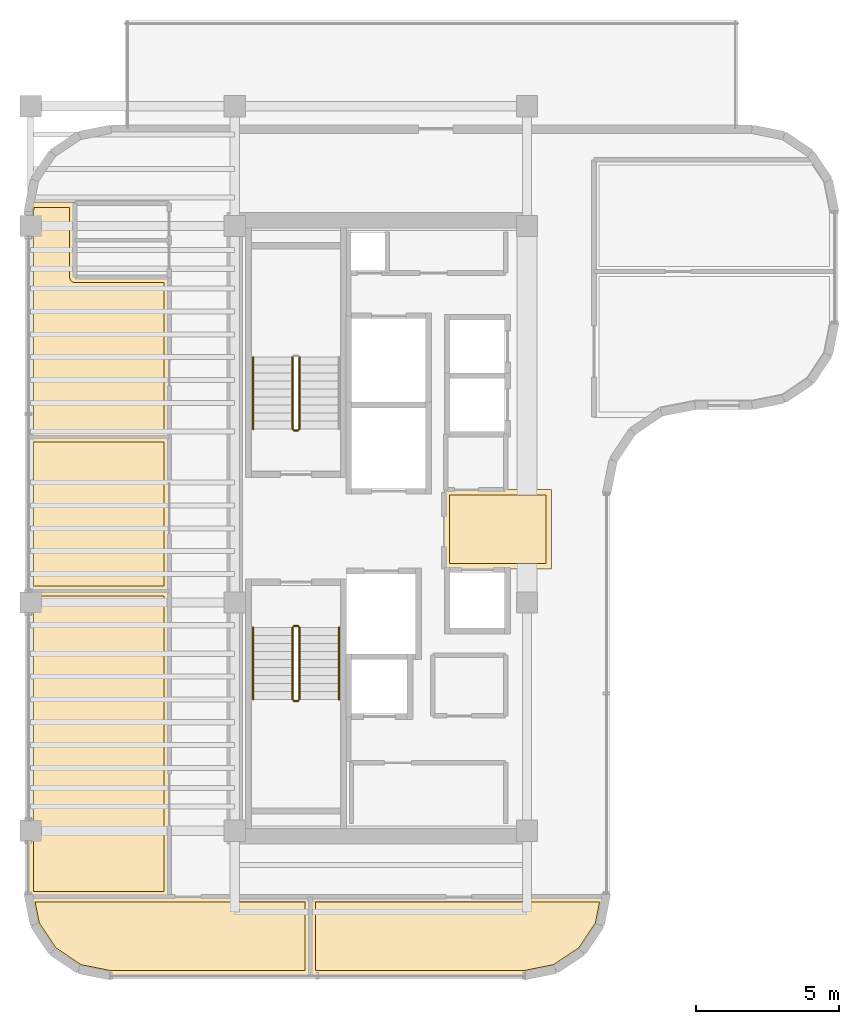
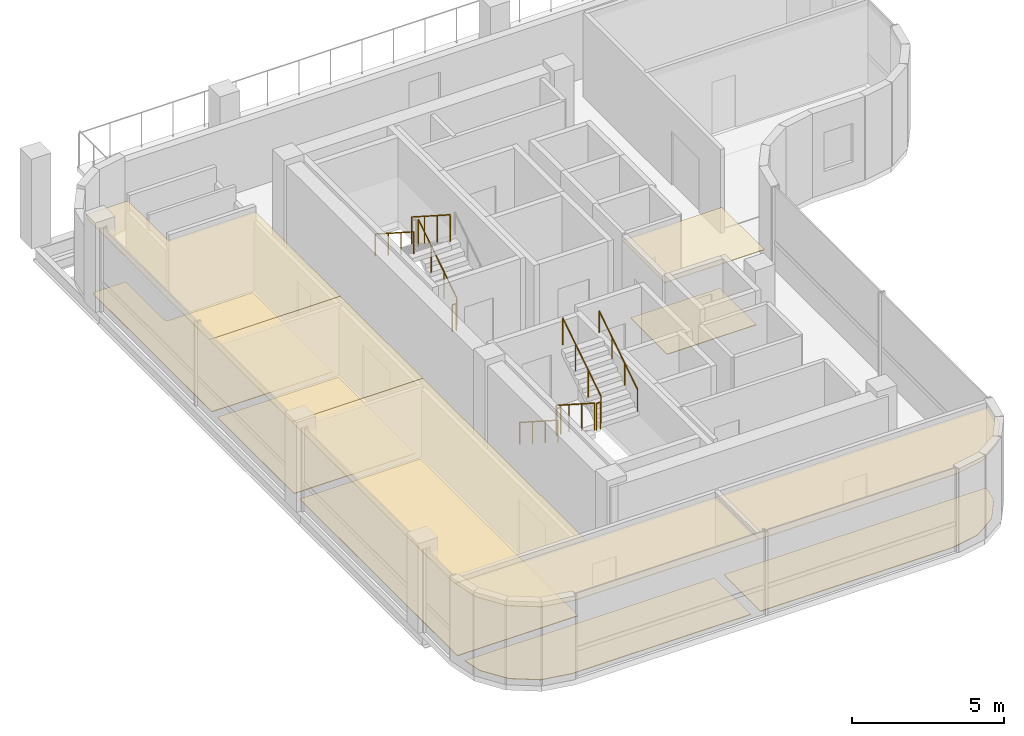
# One storey, part 12 of 13: 12 coverings, 10 railings.
"""IFC4 building model written with IfcOpenShell, lengths in metres."""

from ifc_helpers import new_model, si_unit, direction, frame, origin, origin_2d, place, context, subcontext, project, spatial, polyline, circle, outline, extrude, material, layer, layer_set, type_object, element, save


model = new_model("IFC4")

# Units and contexts
model_context = context("Model", 3, precision=1e-05, world=origin(), true_north=direction((0.0, 1.0)))
body_context = subcontext(model_context, "Body", "Model", "MODEL_VIEW")
ifc_project = project(units=[si_unit("LENGTHUNIT", "METRE"), si_unit("AREAUNIT", "SQUARE_METRE"), si_unit("VOLUMEUNIT", "CUBIC_METRE"), si_unit("PLANEANGLEUNIT", "RADIAN"), si_unit("MASSUNIT", "GRAM", prefix="KILO")], contexts=[model_context])

# Site, building, storey
site_placement = place(None, origin())
site = spatial("IfcSite", under=ifc_project, at=site_placement, CompositionType="ELEMENT")
building_placement = place(site_placement, origin())
building = spatial("IfcBuilding", under=site, at=building_placement, Name="Valdorenza Pilgrim Sanctuary Tower", CompositionType="ELEMENT")
storey_placement = place(building_placement, frame((0.0, 0.0, 290.60009765625)))
storey = spatial("IfcBuildingStorey", under=building, at=storey_placement, Name="L76", CompositionType="ELEMENT", Elevation=290.60009765625)

# Coverings
ifc_material_1 = material(Name="Micro-perforated acoustic mineral ceiling tile", Category="gypsum")
ifc_layer_1 = layer(ifc_material_1, 0.02490234375, Name="Micro-perforated acoustic mineral ceiling tile")
ifc_layer_set_1 = layer_set([ifc_layer_1], Name="Micro-perforated acoustic mineral ceiling tile")
covering_type_1 = type_object("IfcCoveringType", Name="COV-CLG-ACU", PredefinedType="CEILING", material=ifc_layer_set_1)
covering_1_placement = place(storey_placement, frame((0.0, 0.0, 3.059814453125)))
element("IfcCovering", 1, at=covering_1_placement, inside=storey, type_object=covering_type_1, Name="L76 Core A Passenger Lift Lobby Acoustic Ceiling", PredefinedType="CEILING", context=body_context, shape_type="SweptSolid", body=[
    extrude(outline(polyline([(-15.31494140625, 1.35009765625), (-15.31494140625, 1.3515625), (-15.314697265625, 1.352783203125), (-15.314453125, 1.3544921875), (-15.31396484375, 1.355712890625), (-15.313232421875, 1.357177734375), (-15.3125, 1.3583984375), (-15.3115234375, 1.359619140625), (-15.310546875, 1.360595703125), (-15.3095703125, 1.361572265625), (-15.308349609375, 1.362548828125), (-15.30712890625, 1.36328125), (-15.3056640625, 1.364013671875), (-15.304443359375, 1.364501953125), (-15.302978515625, 1.36474609375), (-15.301513671875, 1.364990234375), (-15.300048828125, 1.364990234375), (-11.550048828125, 1.364990234375), (-11.548583984375, 1.364990234375), (-11.547119140625, 1.36474609375), (-11.545654296875, 1.364501953125), (-11.544189453125, 1.364013671875), (-11.54296875, 1.36328125), (-11.541748046875, 1.362548828125), (-11.54052734375, 1.361572265625), (-11.539306640625, 1.360595703125), (-11.538330078125, 1.359619140625), (-11.53759765625, 1.3583984375), (-11.536865234375, 1.357177734375), (-11.5361328125, 1.355712890625), (-11.53564453125, 1.3544921875), (-11.535400390625, 1.352783203125), (-11.53515625, 1.3515625), (-11.534912109375, 1.35009765625), (-11.534912109375, -1.419921875), (-11.53515625, -1.42138671875), (-11.535400390625, -1.4228515625), (-11.53564453125, -1.42431640625), (-11.5361328125, -1.42578125), (-11.536865234375, -1.427001953125), (-11.53759765625, -1.42822265625), (-11.538330078125, -1.429443359375), (-11.539306640625, -1.4306640625), (-11.54052734375, -1.431640625), (-11.541748046875, -1.4326171875), (-11.54296875, -1.43310546875), (-11.544189453125, -1.433837890625), (-11.545654296875, -1.434326171875), (-11.547119140625, -1.434814453125), (-11.548583984375, -1.434814453125), (-11.550048828125, -1.43505859375), (-15.298095703125, -1.43505859375), (-15.299560546875, -1.434814453125), (-15.30078125, -1.434814453125), (-15.302490234375, -1.434326171875), (-15.3037109375, -1.433837890625), (-15.30517578125, -1.43310546875), (-15.306396484375, -1.4326171875), (-15.3076171875, -1.431640625), (-15.30859375, -1.4306640625), (-15.3095703125, -1.429443359375), (-15.310546875, -1.42822265625), (-15.311279296875, -1.427001953125), (-15.31201171875, -1.42578125), (-15.3125, -1.42431640625), (-15.312744140625, -1.4228515625), (-15.31298828125, -1.42138671875), (-15.31298828125, -1.419921875), (-15.31298828125, 1.244384765625), (-15.31298828125, 1.24462890625), (-15.313720703125, 1.24609375), (-15.314208984375, 1.24755859375), (-15.314697265625, 1.2490234375), (-15.31494140625, 1.25048828125), (-15.31494140625, 1.251953125), (-15.31494140625, 1.35009765625)])), origin(), (0.0, 0.0, 1.0), 0.025146484375),
])
covering_2_placement = place(storey_placement, frame((0.0, 0.0, 3.059814453125)))
element("IfcCovering", 2, at=covering_2_placement, inside=storey, type_object=covering_type_1, Name="L76 Summit Observation Cafe Acoustic Ceiling", PredefinedType="CEILING", context=body_context, shape_type="SweptSolid", body=[
    extrude(outline(polyline([(-24.93505859375, -12.919921875), (-24.93505859375, -12.92138671875), (-24.935302734375, -12.9228515625), (-24.935546875, -12.92431640625), (-24.93603515625, -12.92578125), (-24.936767578125, -12.927001953125), (-24.9375, -12.92822265625), (-24.9384765625, -12.929443359375), (-24.939453125, -12.9306640625), (-24.9404296875, -12.931640625), (-24.941650390625, -12.9326171875), (-24.94287109375, -12.93310546875), (-24.9443359375, -12.933837890625), (-24.945556640625, -12.934326171875), (-24.947021484375, -12.934814453125), (-24.948486328125, -12.934814453125), (-24.949951171875, -12.93505859375), (-29.864013671875, -12.93505859375), (-29.865478515625, -12.934814453125), (-29.866943359375, -12.934814453125), (-29.868408203125, -12.934326171875), (-29.86962890625, -12.933837890625), (-29.87109375, -12.93310546875), (-29.872314453125, -12.9326171875), (-29.87353515625, -12.931640625), (-29.87451171875, -12.9306640625), (-29.87548828125, -12.929443359375), (-29.87646484375, -12.92822265625), (-29.877197265625, -12.927001953125), (-29.877685546875, -12.92578125), (-29.87841796875, -12.92431640625), (-29.878662109375, -12.9228515625), (-29.90478515625, -12.7919921875), (-29.90478515625, -12.79052734375), (-29.905029296875, -12.789306640625), (-29.905029296875, -2.199951171875), (-29.90478515625, -2.198486328125), (-29.90478515625, -2.197021484375), (-29.904296875, -2.195556640625), (-29.90380859375, -2.1943359375), (-29.9033203125, -2.19287109375), (-29.902587890625, -2.191650390625), (-29.901611328125, -2.1904296875), (-29.900634765625, -2.189453125), (-29.8994140625, -2.1884765625), (-29.898193359375, -2.1875), (-29.897216796875, -2.186767578125), (-29.895751953125, -2.18603515625), (-29.894287109375, -2.185546875), (-29.892822265625, -2.185302734375), (-29.8916015625, -2.18505859375), (-29.889892578125, -2.18505859375), (-24.949951171875, -2.18505859375), (-24.948486328125, -2.18505859375), (-24.947021484375, -2.185302734375), (-24.945556640625, -2.185546875), (-24.9443359375, -2.18603515625), (-24.94287109375, -2.186767578125), (-24.941650390625, -2.1875), (-24.9404296875, -2.1884765625), (-24.939453125, -2.189453125), (-24.9384765625, -2.1904296875), (-24.9375, -2.191650390625), (-24.936767578125, -2.19287109375), (-24.93603515625, -2.1943359375), (-24.935546875, -2.195556640625), (-24.935302734375, -2.197021484375), (-24.93505859375, -2.198486328125), (-24.93505859375, -2.199951171875), (-24.93505859375, -12.919921875)])), origin(), (0.0, 0.0, 1.0), 0.025146484375),
])
covering_3_placement = place(storey_placement, frame((0.0, 0.0, 3.059814453125)))
element("IfcCovering", 3, at=covering_3_placement, inside=storey, type_object=covering_type_1, Name="L76 Main Pilgrim Dining Restaurant Acoustic Ceiling", PredefinedType="CEILING", context=body_context, shape_type="SweptSolid", body=[
    extrude(outline(polyline([(-24.93505859375, -2.197998046875), (-24.93505859375, -2.199462890625), (-24.935302734375, -2.200927734375), (-24.935546875, -2.202392578125), (-24.93603515625, -2.20361328125), (-24.936767578125, -2.205078125), (-24.9375, -2.206298828125), (-24.9384765625, -2.20751953125), (-24.939453125, -2.20849609375), (-24.9404296875, -2.209716796875), (-24.941650390625, -2.21044921875), (-24.94287109375, -2.211181640625), (-24.9443359375, -2.2119140625), (-24.945556640625, -2.21240234375), (-24.947021484375, -2.212646484375), (-24.948486328125, -2.212890625), (-24.949951171875, -2.212890625), (-29.889892578125, -2.212890625), (-29.8916015625, -2.212890625), (-29.892822265625, -2.212646484375), (-29.894287109375, -2.21240234375), (-29.895751953125, -2.2119140625), (-29.897216796875, -2.211181640625), (-29.898193359375, -2.21044921875), (-29.8994140625, -2.209716796875), (-29.900634765625, -2.20849609375), (-29.901611328125, -2.20751953125), (-29.902587890625, -2.206298828125), (-29.9033203125, -2.205078125), (-29.90380859375, -2.20361328125), (-29.904296875, -2.202392578125), (-29.90478515625, -2.200927734375), (-29.90478515625, -2.199462890625), (-29.905029296875, -2.197998046875), (-29.905029296875, 3.199951171875), (-29.90478515625, 3.201416015625), (-29.90478515625, 3.202880859375), (-29.904296875, 3.204345703125), (-29.90380859375, 3.205810546875), (-29.9033203125, 3.20703125), (-29.902587890625, 3.208251953125), (-29.901611328125, 3.20947265625), (-29.900634765625, 3.210693359375), (-29.8994140625, 3.211669921875), (-29.898193359375, 3.21240234375), (-29.897216796875, 3.213134765625), (-29.895751953125, 3.2138671875), (-29.894287109375, 3.21435546875), (-29.892822265625, 3.214599609375), (-29.8916015625, 3.21484375), (-29.889892578125, 3.215087890625), (-24.949951171875, 3.215087890625), (-24.948486328125, 3.21484375), (-24.947021484375, 3.214599609375), (-24.945556640625, 3.21435546875), (-24.9443359375, 3.2138671875), (-24.94287109375, 3.213134765625), (-24.941650390625, 3.21240234375), (-24.9404296875, 3.211669921875), (-24.939453125, 3.210693359375), (-24.9384765625, 3.20947265625), (-24.9375, 3.208251953125), (-24.936767578125, 3.20703125), (-24.93603515625, 3.205810546875), (-24.935546875, 3.204345703125), (-24.935302734375, 3.202880859375), (-24.93505859375, 3.201416015625), (-24.93505859375, 3.199951171875), (-24.93505859375, -2.197998046875)])), origin(), (0.0, 0.0, 1.0), 0.025146484375),
])
covering_4_placement = place(storey_placement, frame((0.0, 0.0, 3.059814453125)))
element("IfcCovering", 4, at=covering_4_placement, inside=storey, type_object=covering_type_1, Name="L76 Observation Deck Visitor Office Acoustic Ceiling", PredefinedType="CEILING", context=body_context, shape_type="SweptSolid", body=[
    extrude(outline(polyline([(-28.237060546875, 8.81298828125), (-24.949951171875, 8.81298828125), (-24.948486328125, 8.81298828125), (-24.947021484375, 8.812744140625), (-24.945556640625, 8.8125), (-24.9443359375, 8.81201171875), (-24.94287109375, 8.811279296875), (-24.941650390625, 8.810546875), (-24.9404296875, 8.8095703125), (-24.939453125, 8.80859375), (-24.9384765625, 8.8076171875), (-24.9375, 8.806396484375), (-24.936767578125, 8.80517578125), (-24.93603515625, 8.8037109375), (-24.935546875, 8.802490234375), (-24.935302734375, 8.80078125), (-24.93505859375, 8.799560546875), (-24.93505859375, 8.798095703125), (-24.93505859375, 3.201904296875), (-24.93505859375, 3.200439453125), (-24.935302734375, 3.19921875), (-24.935546875, 3.197509765625), (-24.93603515625, 3.1962890625), (-24.936767578125, 3.19482421875), (-24.9375, 3.193603515625), (-24.9384765625, 3.1923828125), (-24.939453125, 3.19140625), (-24.9404296875, 3.1904296875), (-24.941650390625, 3.189453125), (-24.94287109375, 3.188720703125), (-24.9443359375, 3.18798828125), (-24.945556640625, 3.1875), (-24.947021484375, 3.187255859375), (-24.948486328125, 3.18701171875), (-24.949951171875, 3.18701171875), (-29.889892578125, 3.18701171875), (-29.8916015625, 3.18701171875), (-29.892822265625, 3.187255859375), (-29.894287109375, 3.1875), (-29.895751953125, 3.18798828125), (-29.897216796875, 3.188720703125), (-29.898193359375, 3.189453125), (-29.8994140625, 3.1904296875), (-29.900634765625, 3.19140625), (-29.901611328125, 3.1923828125), (-29.902587890625, 3.193603515625), (-29.9033203125, 3.19482421875), (-29.90380859375, 3.1962890625), (-29.904296875, 3.197509765625), (-29.90478515625, 3.19921875), (-29.90478515625, 3.200439453125), (-29.905029296875, 3.201904296875), (-29.905029296875, 11.089111328125), (-29.90478515625, 11.090576171875), (-29.90478515625, 11.092041015625), (-29.8388671875, 11.4228515625), (-29.83837890625, 11.42431640625), (-29.837890625, 11.42578125), (-29.83740234375, 11.427001953125), (-29.836669921875, 11.42822265625), (-29.835693359375, 11.429443359375), (-29.834716796875, 11.4306640625), (-29.833740234375, 11.431640625), (-29.83251953125, 11.4326171875), (-29.831298828125, 11.43310546875), (-29.829833984375, 11.433837890625), (-29.82861328125, 11.434326171875), (-29.8271484375, 11.434814453125), (-29.82568359375, 11.434814453125), (-29.82421875, 11.43505859375), (-28.25, 11.43505859375), (-28.24853515625, 11.434814453125), (-28.2470703125, 11.434814453125), (-28.24560546875, 11.434326171875), (-28.244384765625, 11.433837890625), (-28.242919921875, 11.43310546875), (-28.24169921875, 11.4326171875), (-28.240478515625, 11.431640625), (-28.239501953125, 11.4306640625), (-28.23828125, 11.429443359375), (-28.237548828125, 11.42822265625), (-28.23681640625, 11.427001953125), (-28.236083984375, 11.42578125), (-28.235595703125, 11.42431640625), (-28.2353515625, 11.4228515625), (-28.235107421875, 11.42138671875), (-28.235107421875, 11.419921875), (-28.235107421875, 11.402099609375), (-28.235107421875, 11.400390625), (-28.2353515625, 11.39892578125), (-28.235595703125, 11.3974609375), (-28.236083984375, 11.39599609375), (-28.23681640625, 11.394775390625), (-28.237060546875, 11.39453125), (-28.237060546875, 10.103759765625), (-28.23681640625, 10.10302734375), (-28.23681640625, 10.1015625), (-28.23681640625, 10.10009765625), (-28.23681640625, 10.098388671875), (-28.237060546875, 10.09814453125), (-28.237060546875, 8.81298828125)])), origin(), (0.0, 0.0, 1.0), 0.025146484375),
])
covering_5_placement = place(storey_placement, frame((0.0, 0.0, 3.059814453125)))
element("IfcCovering", 5, at=covering_5_placement, inside=storey, type_object=covering_type_1, Name="L76 South Panoramic Viewing Salon Acoustic Ceiling", PredefinedType="CEILING", context=body_context, shape_type="SweptSolid", body=[
    extrude(outline(polyline([(-24.955322265625, -12.906982421875), (-24.954833984375, -12.90673828125), (-24.95361328125, -12.906005859375), (-24.9521484375, -12.905517578125), (-24.95068359375, -12.9052734375), (-24.949462890625, -12.905029296875), (-24.947998046875, -12.905029296875), (-20.0, -12.905029296875), (-19.99853515625, -12.905029296875), (-19.9970703125, -12.9052734375), (-19.99560546875, -12.905517578125), (-19.994384765625, -12.906005859375), (-19.992919921875, -12.90673828125), (-19.99169921875, -12.907470703125), (-19.990478515625, -12.908447265625), (-19.989501953125, -12.909423828125), (-19.98828125, -12.910400390625), (-19.987548828125, -12.91162109375), (-19.98681640625, -12.912841796875), (-19.986083984375, -12.914306640625), (-19.985595703125, -12.91552734375), (-19.9853515625, -12.9169921875), (-19.985107421875, -12.91845703125), (-19.985107421875, -12.919921875), (-19.985107421875, -15.68994140625), (-19.985107421875, -15.69140625), (-19.9853515625, -15.69287109375), (-19.985595703125, -15.6943359375), (-19.986083984375, -15.69580078125), (-19.98681640625, -15.697021484375), (-19.987548828125, -15.6982421875), (-19.98828125, -15.699462890625), (-19.989501953125, -15.70068359375), (-19.990478515625, -15.70166015625), (-19.99169921875, -15.702392578125), (-19.992919921875, -15.703125), (-19.994384765625, -15.703857421875), (-19.99560546875, -15.704345703125), (-19.9970703125, -15.70458984375), (-19.99853515625, -15.704833984375), (-20.0, -15.705078125), (-26.9892578125, -15.705078125), (-26.990478515625, -15.704833984375), (-26.9921875, -15.70458984375), (-28.108154296875, -15.482666015625), (-28.109619140625, -15.482421875), (-28.11083984375, -15.481689453125), (-28.1123046875, -15.481201171875), (-28.113525390625, -15.48046875), (-29.05029296875, -14.8544921875), (-29.051513671875, -14.853515625), (-29.052490234375, -14.8525390625), (-29.0537109375, -14.8515625), (-29.054443359375, -14.850341796875), (-29.680419921875, -13.91357421875), (-29.68115234375, -13.912109375), (-29.681884765625, -13.910888671875), (-29.682373046875, -13.909423828125), (-29.6826171875, -13.908203125), (-29.87841796875, -12.9248046875), (-29.87841796875, -12.923583984375), (-29.878662109375, -12.922119140625), (-29.87841796875, -12.92041015625), (-29.87841796875, -12.919189453125), (-29.8779296875, -12.91748046875), (-29.87744140625, -12.916259765625), (-29.876708984375, -12.914794921875), (-29.8759765625, -12.913818359375), (-29.875244140625, -12.91259765625), (-29.874267578125, -12.911376953125), (-29.873046875, -12.910400390625), (-29.871826171875, -12.909423828125), (-29.87060546875, -12.90869140625), (-29.869384765625, -12.908203125), (-29.867919921875, -12.90771484375), (-29.866455078125, -12.9072265625), (-29.864990234375, -12.906982421875), (-29.863525390625, -12.906982421875), (-24.955322265625, -12.906982421875)])), origin(), (0.0, 0.0, 1.0), 0.025146484375),
])
covering_6_placement = place(storey_placement, frame((0.0, 0.0, 3.059814453125)))
element("IfcCovering", 6, at=covering_6_placement, inside=storey, type_object=covering_type_1, Name="L76 South Contemplation Lounge Acoustic Ceiling", PredefinedType="CEILING", context=body_context, shape_type="SweptSolid", body=[
    extrude(outline(polyline([(-9.635986328125, -12.905029296875), (-9.634521484375, -12.905029296875), (-9.633056640625, -12.9052734375), (-9.631591796875, -12.905517578125), (-9.63037109375, -12.906005859375), (-9.62890625, -12.90673828125), (-9.627685546875, -12.907470703125), (-9.62646484375, -12.908447265625), (-9.62548828125, -12.909423828125), (-9.62451171875, -12.910400390625), (-9.62353515625, -12.91162109375), (-9.622802734375, -12.912841796875), (-9.622314453125, -12.914306640625), (-9.62158203125, -12.91552734375), (-9.621337890625, -12.9169921875), (-9.62109375, -12.91845703125), (-9.62109375, -12.919921875), (-9.62109375, -12.92138671875), (-9.621337890625, -12.9228515625), (-9.8173828125, -13.908203125), (-9.817626953125, -13.909423828125), (-9.818115234375, -13.910888671875), (-9.81884765625, -13.912109375), (-9.819580078125, -13.91357421875), (-10.445556640625, -14.850341796875), (-10.4462890625, -14.8515625), (-10.447509765625, -14.8525390625), (-10.448486328125, -14.853515625), (-10.44970703125, -14.8544921875), (-11.386474609375, -15.48046875), (-11.3876953125, -15.481201171875), (-11.38916015625, -15.481689453125), (-11.390380859375, -15.482421875), (-11.391845703125, -15.482666015625), (-12.5078125, -15.70458984375), (-12.509521484375, -15.704833984375), (-12.5107421875, -15.705078125), (-19.998046875, -15.705078125), (-19.99951171875, -15.704833984375), (-20.0009765625, -15.70458984375), (-20.00244140625, -15.704345703125), (-20.003662109375, -15.703857421875), (-20.005126953125, -15.703125), (-20.00634765625, -15.702392578125), (-20.007568359375, -15.70166015625), (-20.008544921875, -15.70068359375), (-20.009521484375, -15.699462890625), (-20.010498046875, -15.6982421875), (-20.01123046875, -15.697021484375), (-20.011962890625, -15.69580078125), (-20.012451171875, -15.6943359375), (-20.0126953125, -15.69287109375), (-20.012939453125, -15.69140625), (-20.012939453125, -15.68994140625), (-20.012939453125, -12.919921875), (-20.012939453125, -12.91845703125), (-20.0126953125, -12.9169921875), (-20.012451171875, -12.91552734375), (-20.011962890625, -12.914306640625), (-20.01123046875, -12.912841796875), (-20.010498046875, -12.91162109375), (-20.009521484375, -12.910400390625), (-20.008544921875, -12.909423828125), (-20.007568359375, -12.908447265625), (-20.00634765625, -12.907470703125), (-20.005126953125, -12.90673828125), (-20.003662109375, -12.906005859375), (-20.00244140625, -12.905517578125), (-20.0009765625, -12.9052734375), (-19.99951171875, -12.905029296875), (-19.998046875, -12.905029296875), (-9.635986328125, -12.905029296875)])), origin(), (0.0, 0.0, 1.0), 0.025146484375),
])
ifc_material_2 = material(Name="Honed travertine stone flooring", Category="masonry")
ifc_layer_2 = layer(ifc_material_2, 0.030029296875, Name="Honed travertine stone flooring")
ifc_layer_set_2 = layer_set([ifc_layer_2], Name="Honed travertine stone flooring")
covering_type_2 = type_object("IfcCoveringType", Name="COV-FLR-TRV", PredefinedType="FLOORING", material=ifc_layer_set_2)
covering_7_placement = place(storey_placement, origin())
element("IfcCovering", 7, at=covering_7_placement, inside=storey, type_object=covering_type_2, Name="L76 Core A Passenger Lift Lobby Flooring", PredefinedType="FLOORING", context=body_context, shape_type="SweptSolid", body=[
    extrude(outline(polyline([(-15.117919921875, 1.169921875), (-11.72998046875, 1.169921875), (-11.72998046875, -1.239990234375), (-15.117919921875, -1.239990234375), (-15.117919921875, 1.169921875)])), origin(), (0.0, 0.0, 1.0), 0.02490234375),
])
covering_8_placement = place(storey_placement, origin())
element("IfcCovering", 8, at=covering_8_placement, inside=storey, type_object=covering_type_2, Name="L76 Summit Observation Cafe Flooring", PredefinedType="FLOORING", context=body_context, shape_type="SweptSolid", body=[
    extrude(outline(polyline([(-29.7099609375, -12.739990234375), (-29.7099609375, -2.3798828125), (-25.1298828125, -2.3798828125), (-25.1298828125, -12.739990234375), (-29.7099609375, -12.739990234375)])), origin(), (0.0, 0.0, 1.0), 0.02490234375),
])
covering_9_placement = place(storey_placement, origin())
element("IfcCovering", 9, at=covering_9_placement, inside=storey, type_object=covering_type_2, Name="L76 Main Pilgrim Dining Restaurant Flooring", PredefinedType="FLOORING", context=body_context, shape_type="SweptSolid", body=[
    extrude(outline(polyline([(-25.1298828125, -2.01806640625), (-29.7099609375, -2.01806640625), (-29.7099609375, 3.02001953125), (-25.1298828125, 3.02001953125), (-25.1298828125, -2.01806640625)])), origin(), (0.0, 0.0, 1.0), 0.02490234375),
])
covering_10_placement = place(storey_placement, origin())
element("IfcCovering", 10, at=covering_10_placement, inside=storey, type_object=covering_type_2, Name="L76 Observation Deck Visitor Office Flooring", PredefinedType="FLOORING", context=body_context, shape_type="SweptSolid", body=[
    extrude(outline(polyline([(-28.431884765625, 11.239990234375), (-28.431884765625, 10.10205078125), (-28.431884765625, 10.10107421875), (-28.431884765625, 10.100341796875), (-28.431884765625, 10.10009765625), (-28.431884765625, 8.800048828125), (-28.431884765625, 8.791259765625), (-28.431884765625, 8.791015625), (-28.429931640625, 8.7734375), (-28.429931640625, 8.773193359375), (-28.426513671875, 8.755859375), (-28.426513671875, 8.755615234375), (-28.42138671875, 8.73876953125), (-28.42138671875, 8.738525390625), (-28.41455078125, 8.722412109375), (-28.41455078125, 8.72216796875), (-28.40625, 8.70654296875), (-28.406005859375, 8.706298828125), (-28.396240234375, 8.691650390625), (-28.39599609375, 8.69140625), (-28.385009765625, 8.677978515625), (-28.384765625, 8.677734375), (-28.372314453125, 8.665283203125), (-28.3720703125, 8.6650390625), (-28.3583984375, 8.65380859375), (-28.3583984375, 8.65380859375), (-28.343505859375, 8.643798828125), (-28.343505859375, 8.643798828125), (-28.327880859375, 8.635498046875), (-28.32763671875, 8.635498046875), (-28.311279296875, 8.628662109375), (-28.311279296875, 8.628662109375), (-28.294189453125, 8.62353515625), (-28.294189453125, 8.623291015625), (-28.27685546875, 8.6201171875), (-28.276611328125, 8.6201171875), (-28.259033203125, 8.6181640625), (-28.2587890625, 8.6181640625), (-28.25, 8.617919921875), (-25.1298828125, 8.617919921875), (-25.1298828125, 3.382080078125), (-29.7099609375, 3.382080078125), (-29.7099609375, 11.0712890625), (-29.676513671875, 11.239990234375), (-28.431884765625, 11.239990234375)])), origin(), (0.0, 0.0, 1.0), 0.02490234375),
])
covering_11_placement = place(storey_placement, origin())
element("IfcCovering", 11, at=covering_11_placement, inside=storey, type_object=covering_type_2, Name="L76 South Panoramic Viewing Salon Flooring", PredefinedType="FLOORING", context=body_context, shape_type="SweptSolid", body=[
    extrude(outline(polyline([(-20.179931640625, -15.510009765625), (-26.971435546875, -15.510009765625), (-28.034912109375, -15.29833984375), (-28.912109375, -14.712158203125), (-29.498291015625, -13.8349609375), (-29.644287109375, -13.10205078125), (-24.949951171875, -13.10205078125), (-20.179931640625, -13.10009765625), (-20.179931640625, -15.510009765625)])), origin(), (0.0, 0.0, 1.0), 0.02490234375),
])
covering_12_placement = place(storey_placement, origin())
element("IfcCovering", 12, at=covering_12_placement, inside=storey, type_object=covering_type_2, Name="L76 South Contemplation Lounge Flooring", PredefinedType="FLOORING", context=body_context, shape_type="SweptSolid", body=[
    extrude(outline(polyline([(-9.85546875, -13.10009765625), (-10.001708984375, -13.8349609375), (-10.587890625, -14.712158203125), (-11.465087890625, -15.29833984375), (-12.528564453125, -15.510009765625), (-19.818115234375, -15.510009765625), (-19.818115234375, -13.10009765625), (-9.85546875, -13.10009765625)])), origin(), (0.0, 0.0, 1.0), 0.02490234375),
])

# Railings
ifc_material_3 = material(Name="Stainless steel Grade 316", Category="steel")
railing_type_1 = type_object("IfcRailingType", Name="RLG-GRD-1120", PredefinedType="GUARDRAIL", material=ifc_material_3)
railing_1_placement = place(storey_placement, frame((-20.3701171875, 3.47998046875, 0.179931640625)))
element("IfcRailing", 13, at=railing_1_placement, inside=storey, type_object=railing_type_1, Name="L76 ST-A1 stair guard 1", PredefinedType="GUARDRAIL", context=body_context, shape_type="SweptSolid", body=[
    extrude(circle(Radius=0.02392578125, at=origin_2d()), frame((0.0, 0.0, 1.076171875), z_axis=(0.0, 0.841199657755, 0.540724639528), x_axis=(-1.0, 0.0, 0.0)), (0.0, 0.0, 1.0), 2.995849609375),
    extrude(circle(Radius=0.02099609375, at=origin_2d()), origin(), (0.0, 0.0, 1.0), 1.052001953125),
    extrude(circle(Radius=0.02099609375, at=origin_2d()), frame((0.0, 0.840087890625, 0.5400390625)), (0.0, 0.0, 1.0), 1.052001953125),
    extrude(circle(Radius=0.02099609375, at=origin_2d()), frame((0.0, 1.679931640625, 1.079833984375)), (0.0, 0.0, 1.0), 1.052001953125),
    extrude(circle(Radius=0.02099609375, at=origin_2d()), frame((0.0, 2.52001953125, 1.619873046875)), (0.0, 0.0, 1.0), 1.052001953125),
])
railing_2_placement = place(storey_placement, frame((-20.6201171875, 6.0, 1.97998046875)))
element("IfcRailing", 14, at=railing_2_placement, inside=storey, type_object=railing_type_1, Name="L76 ST-A1 stair guard 3", PredefinedType="GUARDRAIL", context=body_context, shape_type="SweptSolid", body=[
    extrude(circle(Radius=0.02392578125, at=origin_2d()), frame((0.0, 0.0, 1.076171875), z_axis=(0.0, -0.841199657755, 0.540724639528), x_axis=(1.0, 0.0, 0.0)), (0.0, 0.0, 1.0), 2.995849609375),
    extrude(circle(Radius=0.02099609375, at=origin_2d()), origin(), (0.0, 0.0, 1.0), 1.052001953125),
    extrude(circle(Radius=0.02099609375, at=origin_2d()), frame((0.0, -0.840087890625, 0.5400390625)), (0.0, 0.0, 1.0), 1.052001953125),
    extrude(circle(Radius=0.02099609375, at=origin_2d()), frame((0.0, -1.679931640625, 1.079833984375)), (0.0, 0.0, 1.0), 1.052001953125),
    extrude(circle(Radius=0.02099609375, at=origin_2d()), frame((0.0, -2.52001953125, 1.619873046875)), (0.0, 0.0, 1.0), 1.052001953125),
])
railing_3_placement = place(storey_placement, frame((-20.419921875, 3.429931640625, 0.0)))
element("IfcRailing", 15, at=railing_3_placement, inside=storey, type_object=railing_type_1, Name="L76 ST-A1 stair guard 4", PredefinedType="GUARDRAIL", context=body_context, shape_type="SweptSolid", body=[
    extrude(circle(Radius=0.02392578125, at=origin_2d()), frame((0.0, 0.0, 1.076171875), z_axis=(-1.0, 0.0, 0.0), x_axis=(0.0, -1.0, 0.0)), (0.0, 0.0, 1.0), 0.150146484375),
    extrude(circle(Radius=0.02099609375, at=origin_2d()), origin(), (0.0, 0.0, 1.0), 1.052001953125),
    extrude(circle(Radius=0.02099609375, at=origin_2d()), frame((-0.150146484375, 0.0, 0.0)), (0.0, 0.0, 1.0), 1.052001953125),
])
railing_4_placement = place(storey_placement, frame((-20.6201171875, -3.47998046875, 0.179931640625)))
element("IfcRailing", 16, at=railing_4_placement, inside=storey, type_object=railing_type_1, Name="L76 ST-A2 stair guard 1", PredefinedType="GUARDRAIL", context=body_context, shape_type="SweptSolid", body=[
    extrude(circle(Radius=0.02392578125, at=origin_2d()), frame((0.0, 0.0, 1.076171875), z_axis=(0.0, -0.841199657755, 0.540724639528), x_axis=(1.0, 0.0, 0.0)), (0.0, 0.0, 1.0), 2.995849609375),
    extrude(circle(Radius=0.02099609375, at=origin_2d()), origin(), (0.0, 0.0, 1.0), 1.052001953125),
    extrude(circle(Radius=0.02099609375, at=origin_2d()), frame((0.0, -0.840087890625, 0.5400390625)), (0.0, 0.0, 1.0), 1.052001953125),
    extrude(circle(Radius=0.02099609375, at=origin_2d()), frame((0.0, -1.679931640625, 1.079833984375)), (0.0, 0.0, 1.0), 1.052001953125),
    extrude(circle(Radius=0.02099609375, at=origin_2d()), frame((0.0, -2.52001953125, 1.619873046875)), (0.0, 0.0, 1.0), 1.052001953125),
])
railing_5_placement = place(storey_placement, frame((-20.570068359375, -6.050048828125, 1.7998046875)))
element("IfcRailing", 17, at=railing_5_placement, inside=storey, type_object=railing_type_1, Name="L76 ST-A2 stair guard 2", PredefinedType="GUARDRAIL", context=body_context, shape_type="SweptSolid", body=[
    extrude(circle(Radius=0.02392578125, at=origin_2d()), frame((0.0, 0.0, 1.076171875), z_axis=(1.0, 0.0, 0.0), x_axis=(0.0, 1.0, 0.0)), (0.0, 0.0, 1.0), 0.150146484375),
    extrude(circle(Radius=0.02099609375, at=origin_2d()), origin(), (0.0, 0.0, 1.0), 1.052001953125),
    extrude(circle(Radius=0.02099609375, at=origin_2d()), frame((0.150146484375, 0.0, 0.0)), (0.0, 0.0, 1.0), 1.052001953125),
])
railing_6_placement = place(storey_placement, frame((-20.3701171875, -6.0, 1.97998046875)))
element("IfcRailing", 18, at=railing_6_placement, inside=storey, type_object=railing_type_1, Name="L76 ST-A2 stair guard 3", PredefinedType="GUARDRAIL", context=body_context, shape_type="SweptSolid", body=[
    extrude(circle(Radius=0.02392578125, at=origin_2d()), frame((0.0, 0.0, 1.076171875), z_axis=(0.0, 0.841199657755, 0.540724639528), x_axis=(-1.0, 0.0, 0.0)), (0.0, 0.0, 1.0), 2.995849609375),
    extrude(circle(Radius=0.02099609375, at=origin_2d()), origin(), (0.0, 0.0, 1.0), 1.052001953125),
    extrude(circle(Radius=0.02099609375, at=origin_2d()), frame((0.0, 0.840087890625, 0.5400390625)), (0.0, 0.0, 1.0), 1.052001953125),
    extrude(circle(Radius=0.02099609375, at=origin_2d()), frame((0.0, 1.679931640625, 1.079833984375)), (0.0, 0.0, 1.0), 1.052001953125),
    extrude(circle(Radius=0.02099609375, at=origin_2d()), frame((0.0, 2.52001953125, 1.619873046875)), (0.0, 0.0, 1.0), 1.052001953125),
])
railing_7_placement = place(storey_placement, frame((-20.570068359375, -3.429931640625, 0.0)))
element("IfcRailing", 19, at=railing_7_placement, inside=storey, type_object=railing_type_1, Name="L76 ST-A2 stair guard 4", PredefinedType="GUARDRAIL", context=body_context, shape_type="SweptSolid", body=[
    extrude(circle(Radius=0.02392578125, at=origin_2d()), frame((0.0, 0.0, 1.076171875), z_axis=(1.0, 0.0, 0.0), x_axis=(0.0, 1.0, 0.0)), (0.0, 0.0, 1.0), 0.150146484375),
    extrude(circle(Radius=0.02099609375, at=origin_2d()), origin(), (0.0, 0.0, 1.0), 1.052001953125),
    extrude(circle(Radius=0.02099609375, at=origin_2d()), frame((0.150146484375, 0.0, 0.0)), (0.0, 0.0, 1.0), 1.052001953125),
])
ifc_material_4 = material(Name="Brushed stainless steel Grade 316", Category="steel")
railing_type_2 = type_object("IfcRailingType", Name="RLG-HND-920", PredefinedType="HANDRAIL", material=ifc_material_4)
for number, where, name in (
    (20, (-22.0, 6.0, 1.97998046875), "L76 ST-A1 stair handrail 2"),
    (21, (-22.0, -3.47998046875, 0.179931640625), "L76 ST-A2 stair handrail 1"),
):
    element("IfcRailing", number, at=place(storey_placement, frame(where)), inside=storey, type_object=railing_type_2, Name=name, PredefinedType="HANDRAIL", context=body_context, shape_type="SweptSolid", body=[
        extrude(circle(Radius=0.02392578125, at=origin_2d()), frame((0.0, 0.0, 0.8759765625), z_axis=(0.0, -0.841199657755, 0.540724639528), x_axis=(1.0, 0.0, 0.0)), (0.0, 0.0, 1.0), 2.995849609375),
        extrude(circle(Radius=0.02099609375, at=origin_2d()), origin(), (0.0, 0.0, 1.0), 0.851806640625),
        extrude(circle(Radius=0.02099609375, at=origin_2d()), frame((0.0, -0.840087890625, 0.5400390625)), (0.0, 0.0, 1.0), 0.851806640625),
        extrude(circle(Radius=0.02099609375, at=origin_2d()), frame((0.0, -1.679931640625, 1.079833984375)), (0.0, 0.0, 1.0), 0.851806640625),
        extrude(circle(Radius=0.02099609375, at=origin_2d()), frame((0.0, -2.52001953125, 1.619873046875)), (0.0, 0.0, 1.0), 0.851806640625),
    ])
railing_8_placement = place(storey_placement, frame((-18.989990234375, -6.0, 1.97998046875)))
element("IfcRailing", 22, at=railing_8_placement, inside=storey, type_object=railing_type_2, Name="L76 ST-A2 stair handrail 2", PredefinedType="HANDRAIL", context=body_context, shape_type="SweptSolid", body=[
    extrude(circle(Radius=0.02392578125, at=origin_2d()), frame((0.0, 0.0, 0.8759765625), z_axis=(0.0, 0.841199657755, 0.540724639528), x_axis=(-1.0, 0.0, 0.0)), (0.0, 0.0, 1.0), 2.995849609375),
    extrude(circle(Radius=0.02099609375, at=origin_2d()), origin(), (0.0, 0.0, 1.0), 0.851806640625),
    extrude(circle(Radius=0.02099609375, at=origin_2d()), frame((0.0, 0.840087890625, 0.5400390625)), (0.0, 0.0, 1.0), 0.851806640625),
    extrude(circle(Radius=0.02099609375, at=origin_2d()), frame((0.0, 1.679931640625, 1.079833984375)), (0.0, 0.0, 1.0), 0.851806640625),
    extrude(circle(Radius=0.02099609375, at=origin_2d()), frame((0.0, 2.52001953125, 1.619873046875)), (0.0, 0.0, 1.0), 0.851806640625),
])

save(model, "model.ifc")
